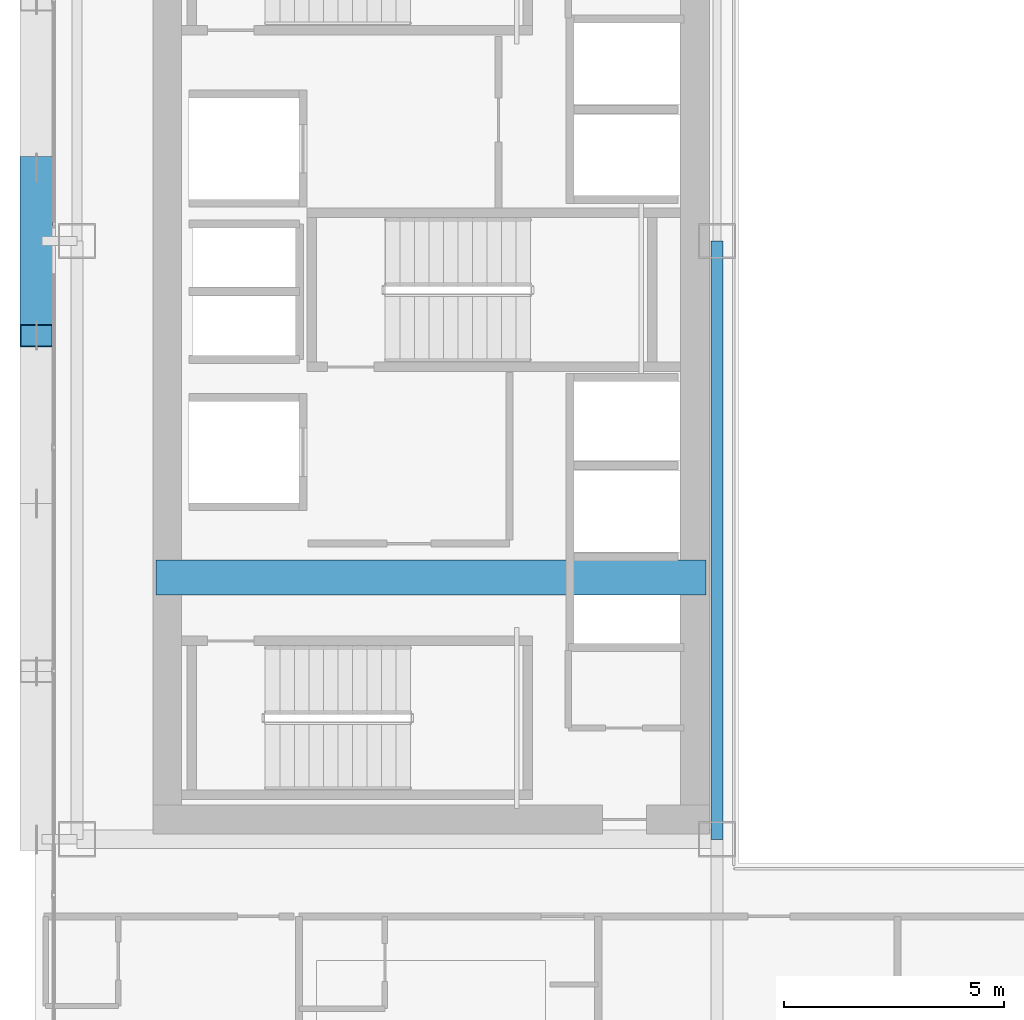
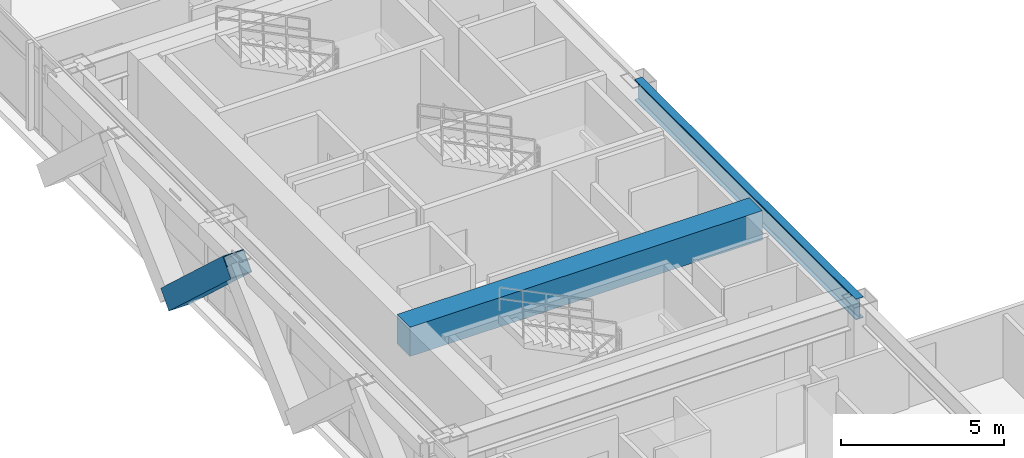
# One storey, part 7 of 36: 2 beams, 1 member.
"""IFC4 building model written with IfcOpenShell, lengths in metres."""

from ifc_helpers import new_model, si_unit, direction, frame, origin, origin_2d, place, context, subcontext, project, spatial, rectangle, hollow_rectangle, i_section, extrude, source, transform, mapped, material, material_profile, profile_set, type_object, element, save


model = new_model("IFC4")

# Units and contexts
model_context = context("Model", 3, precision=1e-05, world=origin(), true_north=direction((0.0, 1.0)))
body_context = subcontext(model_context, "Body", "Model", "MODEL_VIEW")
ifc_project = project(units=[si_unit("LENGTHUNIT", "METRE"), si_unit("AREAUNIT", "SQUARE_METRE"), si_unit("VOLUMEUNIT", "CUBIC_METRE"), si_unit("PLANEANGLEUNIT", "RADIAN"), si_unit("MASSUNIT", "GRAM", prefix="KILO")], contexts=[model_context])

# Site, building, storey
site_placement = place(None, origin())
site = spatial("IfcSite", under=ifc_project, at=site_placement, CompositionType="ELEMENT")
building_placement = place(site_placement, origin())
building = spatial("IfcBuilding", under=site, at=building_placement, Name="Ocotamira Hotel", CompositionType="ELEMENT")
storey_placement = place(building_placement, frame((0.0, 0.0, 147.60009765625)))
storey = spatial("IfcBuildingStorey", under=building, at=storey_placement, Name="L37", CompositionType="ELEMENT", Elevation=147.60009765625)

# Beams
ifc_material_1 = material(Name="Concrete C60/75", Category="concrete")
ifc_material_profile_1 = material_profile(ifc_material_1, rectangle(XDim=0.800048828125, YDim=1.10009765625, at=origin_2d()), Name="RC800X1100")
ifc_profile_set_1 = profile_set([ifc_material_profile_1], Name="Concrete C60/75")
beam_type_1 = type_object("IfcBeamType", Name="BM-LINK-RC800", PredefinedType="LINTEL", material=ifc_profile_set_1)
shared_shape_1 = source(origin(), body_context, "Body", "SweptSolid", [
    extrude(rectangle(XDim=0.800048828125, YDim=1.10009765625, at=origin_2d()), origin(), (0.0, 0.0, 1.0), 12.5),
])
beam_1_placement = place(storey_placement, frame((10.75, 20.5, 2.72998046875), z_axis=(1.0, 0.0, 0.0), x_axis=(0.0, 1.0, 0.0)))
element("IfcBeam", 1, at=beam_1_placement, inside=storey, type_object=beam_type_1, Name="L37 West Core Coupling Beam", PredefinedType="LINTEL", context=body_context, shape_type="MappedRepresentation", body=[
    mapped(shared_shape_1, transform((0.0, 0.0, 0.0), scale=1.0)),
])
ifc_material_2 = material(Name="Steel ASTM A992 Grade 50", Category="steel")
ifc_material_profile_2 = material_profile(ifc_material_2, i_section(OverallWidth=0.26611328125, OverallDepth=0.779052734375, WebThickness=0.0166015625, FlangeThickness=0.030029296875, FilletRadius=0.01806640625, at=origin_2d()), Name="W30X148")
ifc_profile_set_2 = profile_set([ifc_material_profile_2], Name="Steel ASTM A992 Grade 50")
beam_type_2 = type_object("IfcBeamType", Name="BM-GIRD-W30X148", PredefinedType="BEAM", material=ifc_profile_set_2)
shared_shape_2 = source(origin(), body_context, "Body", "SweptSolid", [
    extrude(i_section(OverallWidth=0.26611328125, OverallDepth=0.779052734375, WebThickness=0.0166015625, FlangeThickness=0.030029296875, FilletRadius=0.01806640625, at=origin_2d()), origin(), (0.0, 0.0, 1.0), 13.599853515625),
])
beam_2_placement = place(storey_placement, frame((23.5, 14.550048828125, 2.890380859375), z_axis=(0.0, 1.0, 0.0), x_axis=(-1.0, 0.0, 0.0)))
element("IfcBeam", 2, at=beam_2_placement, inside=storey, type_object=beam_type_2, Name="L37 Beam X23.5 Y14.55-28.15", PredefinedType="BEAM", context=body_context, shape_type="MappedRepresentation", body=[
    mapped(shared_shape_2, transform((0.0, 0.0, 0.0), scale=1.0)),
])

# Member
ifc_material_3 = material(Name="Pale-metal coated steel ASTM A913 Grade 65", Category="steel")
ifc_material_profile_3 = material_profile(ifc_material_3, hollow_rectangle(XDim=0.75, YDim=0.75, WallThickness=0.028076171875, at=origin_2d()), Name="BOX750X750X28")
ifc_profile_set_3 = profile_set([ifc_material_profile_3], Name="Pale-metal coated steel ASTM A913 Grade 65")
member_type = type_object("IfcMemberType", Name="MEM-EXO-BOX750", PredefinedType="BRACE", material=ifc_profile_set_3)
shared_shape_3 = source(origin(), body_context, "Body", "SweptSolid", [
    extrude(hollow_rectangle(XDim=0.75, YDim=0.75, WallThickness=0.028076171875, at=origin_2d()), origin(), (0.0, 0.0, 1.0), 5.19189453125),
])
member_placement = place(storey_placement, frame((8.030029296875, 29.816650390625, -0.489990234375), z_axis=(0.0, -0.735118858477, 0.677938244909), x_axis=(1.0, 0.0, 0.0)))
element("IfcMember", 3, at=member_placement, inside=storey, type_object=member_type, Name="L37 Exoskeleton Diagrid W1.2", PredefinedType="BRACE", context=body_context, shape_type="MappedRepresentation", body=[
    mapped(shared_shape_3, transform((0.0, 0.0, 0.0), scale=1.0)),
])

save(model, "model.ifc")
